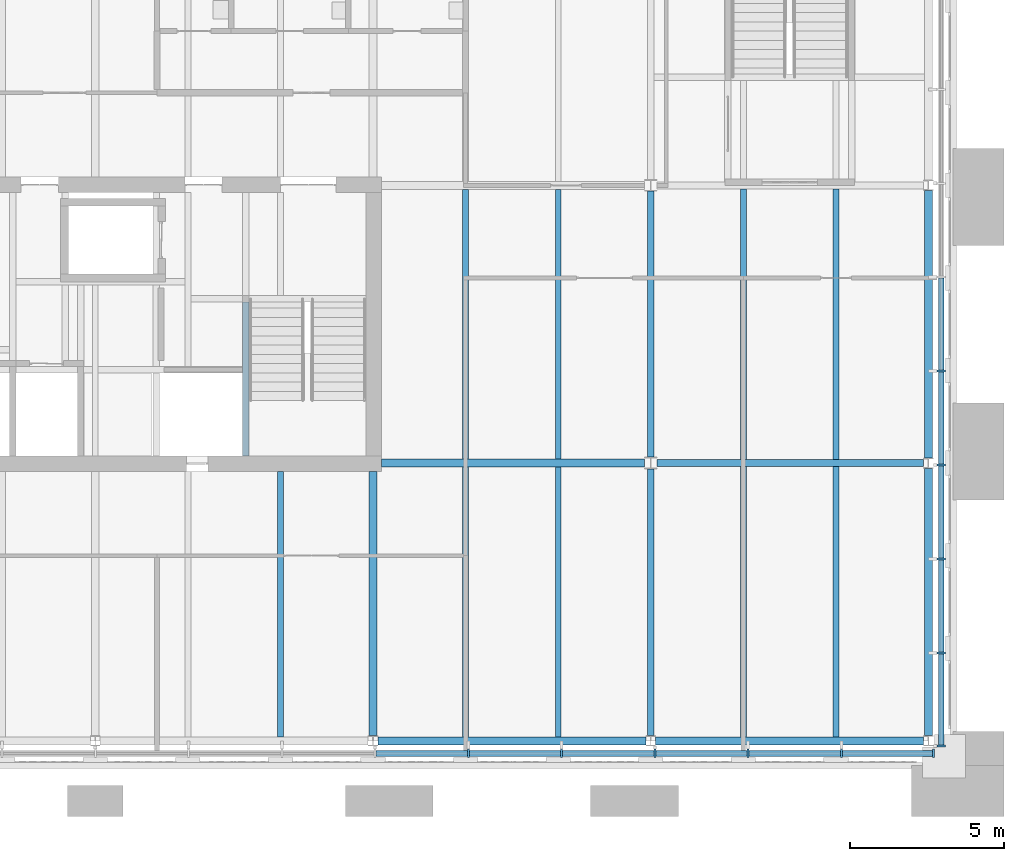
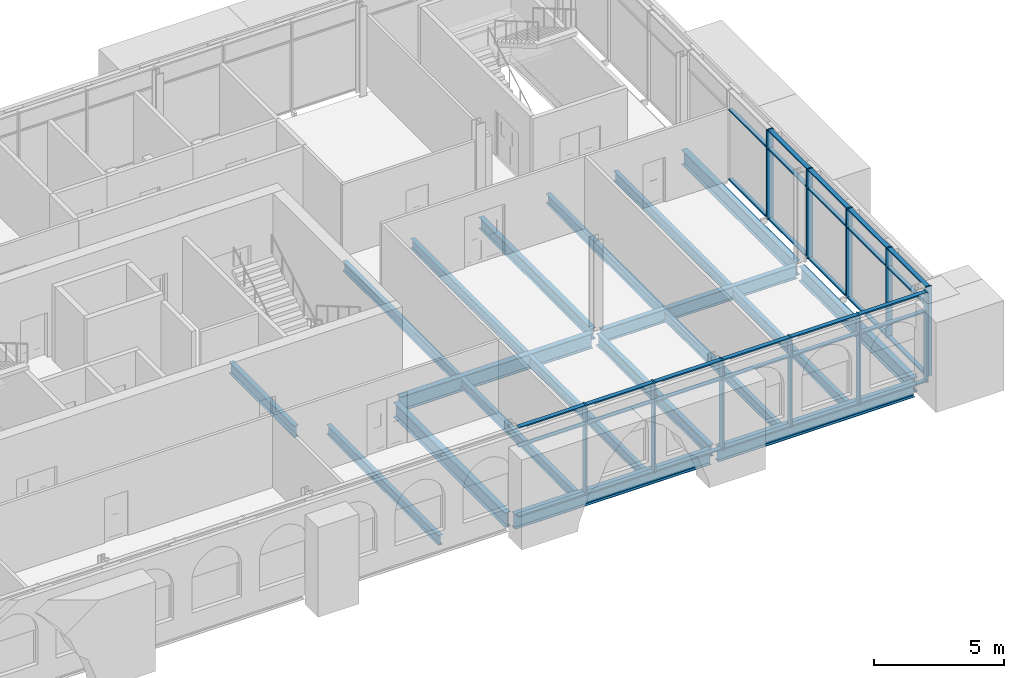
# One storey, part 6 of 22: 43 members, 19 beams, 2 elements without a shape of their own.
"""IFC4 building model written with IfcOpenShell, lengths in metres."""

from ifc_helpers import new_model, si_unit, direction, frame, origin, origin_2d, place, context, subcontext, project, spatial, rectangle, i_section, extrude, material, material_profile, profile_set, type_object, element, aggregate, save


model = new_model("IFC4")

# Units and contexts
model_context = context("Model", 3, precision=1e-05, world=origin(), true_north=direction((0.0, 1.0)))
body_context = subcontext(model_context, "Body", "Model", "MODEL_VIEW")
ifc_project = project(units=[si_unit("LENGTHUNIT", "METRE"), si_unit("AREAUNIT", "SQUARE_METRE"), si_unit("VOLUMEUNIT", "CUBIC_METRE"), si_unit("PLANEANGLEUNIT", "RADIAN"), si_unit("MASSUNIT", "GRAM", prefix="KILO")], contexts=[model_context])

# Site, building, storey
site_placement = place(None, origin())
site = spatial("IfcSite", under=ifc_project, at=site_placement, CompositionType="ELEMENT")
building_placement = place(site_placement, origin())
building = spatial("IfcBuilding", under=site, at=building_placement, Name="Baradari Gate Terminus", CompositionType="ELEMENT")
storey_placement = place(building_placement, frame((0.0, 0.0, 28.5)))
storey = spatial("IfcBuildingStorey", under=building, at=storey_placement, Name="L06", CompositionType="ELEMENT", Elevation=28.5)

# Beam
ifc_material_1 = material(Name="Steel S355", Category="steel")
ifc_material_profile_1 = material_profile(ifc_material_1, i_section(OverallWidth=0.209228515625, OverallDepth=0.533203125, WebThickness=0.010009765625, FlangeThickness=0.015625, FilletRadius=0.0126953125, at=origin_2d()), Name="UB 533x210x92")
ifc_profile_set_1 = profile_set([ifc_material_profile_1], Name="Steel S355")
beam_type_1 = type_object("IfcBeamType", Name="Core floor trimmer beam B22 UB 533x210x92", PredefinedType="BEAM", material=ifc_profile_set_1)
beam_1_placement = place(storey_placement, frame((40.875, 126.22509765625, -0.396484375), z_axis=(0.0, 1.0, 0.0), x_axis=(-1.0, 0.0, 0.0)))
element("IfcBeam", 1, at=beam_1_placement, inside=storey, type_object=beam_type_1, Name="Core floor trimmer beam B22 40.875:126.225-131.22 L06", PredefinedType="BEAM", context=body_context, shape_type="SweptSolid", body=[
    extrude(i_section(OverallWidth=0.209228515625, OverallDepth=0.533203125, WebThickness=0.010009765625, FlangeThickness=0.015625, FilletRadius=0.0126953125, at=origin_2d()), origin(), (0.0, 0.0, 1.0), 4.9951171875),
])

# Curtain wall, members
ifc_material_2 = material(Name="Aluminium 6063-T6", Category="aluminium")
curtain_wall_type = type_object("IfcCurtainWallType", Name="Curtain wall CW-12 block arcade floors, L06-L07", PredefinedType="NOTDEFINED", material=ifc_material_2)
curtain_wall_1_placement = place(storey_placement, origin())
curtain_wall_1 = element("IfcCurtainWall", 2, at=curtain_wall_1_placement, inside=storey, type_object=curtain_wall_type, Name="Curtain wall CW-12 Operations block S face L06", PredefinedType="NOTDEFINED")
ifc_material_3 = material(Name="Aluminium 6063-T6", Category="aluminium")
ifc_material_profile_2 = material_profile(ifc_material_3, rectangle(XDim=0.27490234375, YDim=0.06494140625, at=origin_2d()), Name="CM-12 65X275")
ifc_profile_set_2 = profile_set([ifc_material_profile_2], Name="Aluminium 6063-T6")
member_type_1 = type_object("IfcMemberType", Name="Curtain wall mullion CM-12 65x275", PredefinedType="MULLION", material=ifc_profile_set_2)
member_1_placement = place(storey_placement, frame((48.0888671875, 116.592529296875, 0.0), z_axis=(0.0, 0.0, 1.0), x_axis=(0.0, 1.0, 0.0)))
member_1 = element("IfcMember", 3, at=member_1_placement, type_object=member_type_1, Name="CW-12 mullion 14", PredefinedType="MULLION", context=body_context, shape_type="SweptSolid", body=[
    extrude(rectangle(XDim=0.27490234375, YDim=0.06494140625, at=origin_2d()), origin(), (0.0, 0.0, 1.0), 4.199951171875),
])
member_2_placement = place(storey_placement, frame((51.111083984375, 116.592529296875, 0.0), z_axis=(0.0, 0.0, 1.0), x_axis=(0.0, 1.0, 0.0)))
member_2 = element("IfcMember", 4, at=member_2_placement, type_object=member_type_1, Name="CW-12 mullion 15", PredefinedType="MULLION", context=body_context, shape_type="SweptSolid", body=[
    extrude(rectangle(XDim=0.27490234375, YDim=0.06494140625, at=origin_2d()), origin(), (0.0, 0.0, 1.0), 4.199951171875),
])
member_3_placement = place(storey_placement, frame((54.13330078125, 116.592529296875, 0.0), z_axis=(0.0, 0.0, 1.0), x_axis=(0.0, 1.0, 0.0)))
member_3 = element("IfcMember", 5, at=member_3_placement, type_object=member_type_1, Name="CW-12 mullion 16", PredefinedType="MULLION", context=body_context, shape_type="SweptSolid", body=[
    extrude(rectangle(XDim=0.27490234375, YDim=0.06494140625, at=origin_2d()), origin(), (0.0, 0.0, 1.0), 4.199951171875),
])
member_4_placement = place(storey_placement, frame((57.155517578125, 116.592529296875, 0.0), z_axis=(0.0, 0.0, 1.0), x_axis=(0.0, 1.0, 0.0)))
member_4 = element("IfcMember", 6, at=member_4_placement, type_object=member_type_1, Name="CW-12 mullion 17", PredefinedType="MULLION", context=body_context, shape_type="SweptSolid", body=[
    extrude(rectangle(XDim=0.27490234375, YDim=0.06494140625, at=origin_2d()), origin(), (0.0, 0.0, 1.0), 4.199951171875),
])
member_5_placement = place(storey_placement, frame((60.177734375, 116.592529296875, 0.0), z_axis=(0.0, 0.0, 1.0), x_axis=(0.0, 1.0, 0.0)))
member_5 = element("IfcMember", 7, at=member_5_placement, type_object=member_type_1, Name="CW-12 mullion 18", PredefinedType="MULLION", context=body_context, shape_type="SweptSolid", body=[
    extrude(rectangle(XDim=0.27490234375, YDim=0.06494140625, at=origin_2d()), origin(), (0.0, 0.0, 1.0), 4.199951171875),
])
member_6_placement = place(storey_placement, frame((63.16748046875, 116.592529296875, 0.0), z_axis=(0.0, 0.0, 1.0), x_axis=(0.0, 1.0, 0.0)))
member_6 = element("IfcMember", 8, at=member_6_placement, type_object=member_type_1, Name="CW-12 mullion 19", PredefinedType="MULLION", context=body_context, shape_type="SweptSolid", body=[
    extrude(rectangle(XDim=0.27490234375, YDim=0.06494140625, at=origin_2d()), origin(), (0.0, 0.0, 1.0), 4.199951171875),
])

curtain_wall_2_placement = place(storey_placement, origin())
curtain_wall_2 = element("IfcCurtainWall", 9, at=curtain_wall_2_placement, inside=storey, type_object=curtain_wall_type, Name="Curtain wall CW-12 Operations block E face L06", PredefinedType="NOTDEFINED")
member_7_placement = place(storey_placement, frame((63.407470703125, 116.83251953125, 0.0), z_axis=(0.0, 0.0, 1.0), x_axis=(-1.0, 0.0, 0.0)))
member_7 = element("IfcMember", 10, at=member_7_placement, type_object=member_type_1, Name="CW-12 mullion 1", PredefinedType="MULLION", context=body_context, shape_type="SweptSolid", body=[
    extrude(rectangle(XDim=0.27490234375, YDim=0.06494140625, at=origin_2d()), origin(), (0.0, 0.0, 1.0), 4.199951171875),
])
member_8_placement = place(storey_placement, frame((63.407470703125, 119.844482421875, 0.0), z_axis=(0.0, 0.0, 1.0), x_axis=(-1.0, 0.0, 0.0)))
member_8 = element("IfcMember", 11, at=member_8_placement, type_object=member_type_1, Name="CW-12 mullion 2", PredefinedType="MULLION", context=body_context, shape_type="SweptSolid", body=[
    extrude(rectangle(XDim=0.27490234375, YDim=0.06494140625, at=origin_2d()), origin(), (0.0, 0.0, 1.0), 4.199951171875),
])
member_9_placement = place(storey_placement, frame((63.407470703125, 122.888916015625, 0.0), z_axis=(0.0, 0.0, 1.0), x_axis=(-1.0, 0.0, 0.0)))
member_9 = element("IfcMember", 12, at=member_9_placement, type_object=member_type_1, Name="CW-12 mullion 3", PredefinedType="MULLION", context=body_context, shape_type="SweptSolid", body=[
    extrude(rectangle(XDim=0.27490234375, YDim=0.06494140625, at=origin_2d()), origin(), (0.0, 0.0, 1.0), 4.199951171875),
])
member_10_placement = place(storey_placement, frame((63.407470703125, 125.933349609375, 0.0), z_axis=(0.0, 0.0, 1.0), x_axis=(-1.0, 0.0, 0.0)))
member_10 = element("IfcMember", 13, at=member_10_placement, type_object=member_type_1, Name="CW-12 mullion 4", PredefinedType="MULLION", context=body_context, shape_type="SweptSolid", body=[
    extrude(rectangle(XDim=0.27490234375, YDim=0.06494140625, at=origin_2d()), origin(), (0.0, 0.0, 1.0), 4.199951171875),
])
member_11_placement = place(storey_placement, frame((63.407470703125, 128.977783203125, 0.0), z_axis=(0.0, 0.0, 1.0), x_axis=(-1.0, 0.0, 0.0)))
member_11 = element("IfcMember", 14, at=member_11_placement, type_object=member_type_1, Name="CW-12 mullion 5", PredefinedType="MULLION", context=body_context, shape_type="SweptSolid", body=[
    extrude(rectangle(XDim=0.27490234375, YDim=0.06494140625, at=origin_2d()), origin(), (0.0, 0.0, 1.0), 4.199951171875),
])

# Member
ifc_material_4 = material(Name="Aluminium 6063-T6", Category="aluminium")
ifc_material_profile_3 = material_profile(ifc_material_4, rectangle(XDim=0.18505859375, YDim=0.06494140625, at=origin_2d()), Name="CT-12 65X185")
ifc_profile_set_3 = profile_set([ifc_material_profile_3], Name="Aluminium 6063-T6")
member_type_2 = type_object("IfcMemberType", Name="Curtain wall transom CT-12 65x185", PredefinedType="USERDEFINED", material=ifc_profile_set_3)
member_12_placement = place(storey_placement, frame((45.09912109375, 116.592529296875, 0.032470703125), z_axis=(1.0, 0.0, 0.0), x_axis=(0.0, 1.0, 0.0)))
member_12 = element("IfcMember", 15, at=member_12_placement, type_object=member_type_2, Name="CW-12 transom 13.1", ObjectType="TRANSOM", PredefinedType="USERDEFINED", context=body_context, shape_type="SweptSolid", body=[
    extrude(rectangle(XDim=0.18505859375, YDim=0.06494140625, at=origin_2d()), origin(), (0.0, 0.0, 1.0), 2.957275390625),
])

member_13_placement = place(storey_placement, frame((45.09912109375, 116.592529296875, 3.300048828125), z_axis=(1.0, 0.0, 0.0), x_axis=(0.0, 1.0, 0.0)))
member_13 = element("IfcMember", 16, at=member_13_placement, type_object=member_type_2, Name="CW-12 transom 13.2", ObjectType="TRANSOM", PredefinedType="USERDEFINED", context=body_context, shape_type="SweptSolid", body=[
    extrude(rectangle(XDim=0.18505859375, YDim=0.06494140625, at=origin_2d()), origin(), (0.0, 0.0, 1.0), 2.957275390625),
])

member_14_placement = place(storey_placement, frame((45.09912109375, 116.592529296875, 4.16748046875), z_axis=(1.0, 0.0, 0.0), x_axis=(0.0, 1.0, 0.0)))
member_14 = element("IfcMember", 17, at=member_14_placement, type_object=member_type_2, Name="CW-12 transom 13.3", ObjectType="TRANSOM", PredefinedType="USERDEFINED", context=body_context, shape_type="SweptSolid", body=[
    extrude(rectangle(XDim=0.18505859375, YDim=0.06494140625, at=origin_2d()), origin(), (0.0, 0.0, 1.0), 2.957275390625),
])

member_15_placement = place(storey_placement, frame((48.121337890625, 116.592529296875, 0.032470703125), z_axis=(1.0, 0.0, 0.0), x_axis=(0.0, 1.0, 0.0)))
member_15 = element("IfcMember", 18, at=member_15_placement, type_object=member_type_2, Name="CW-12 transom 14.1", ObjectType="TRANSOM", PredefinedType="USERDEFINED", context=body_context, shape_type="SweptSolid", body=[
    extrude(rectangle(XDim=0.18505859375, YDim=0.06494140625, at=origin_2d()), origin(), (0.0, 0.0, 1.0), 2.957275390625),
])

member_16_placement = place(storey_placement, frame((48.121337890625, 116.592529296875, 3.300048828125), z_axis=(1.0, 0.0, 0.0), x_axis=(0.0, 1.0, 0.0)))
member_16 = element("IfcMember", 19, at=member_16_placement, type_object=member_type_2, Name="CW-12 transom 14.2", ObjectType="TRANSOM", PredefinedType="USERDEFINED", context=body_context, shape_type="SweptSolid", body=[
    extrude(rectangle(XDim=0.18505859375, YDim=0.06494140625, at=origin_2d()), origin(), (0.0, 0.0, 1.0), 2.957275390625),
])

member_17_placement = place(storey_placement, frame((48.121337890625, 116.592529296875, 4.16748046875), z_axis=(1.0, 0.0, 0.0), x_axis=(0.0, 1.0, 0.0)))
member_17 = element("IfcMember", 20, at=member_17_placement, type_object=member_type_2, Name="CW-12 transom 14.3", ObjectType="TRANSOM", PredefinedType="USERDEFINED", context=body_context, shape_type="SweptSolid", body=[
    extrude(rectangle(XDim=0.18505859375, YDim=0.06494140625, at=origin_2d()), origin(), (0.0, 0.0, 1.0), 2.957275390625),
])

member_18_placement = place(storey_placement, frame((51.1435546875, 116.592529296875, 0.032470703125), z_axis=(1.0, 0.0, 0.0), x_axis=(0.0, 1.0, 0.0)))
member_18 = element("IfcMember", 21, at=member_18_placement, type_object=member_type_2, Name="CW-12 transom 15.1", ObjectType="TRANSOM", PredefinedType="USERDEFINED", context=body_context, shape_type="SweptSolid", body=[
    extrude(rectangle(XDim=0.18505859375, YDim=0.06494140625, at=origin_2d()), origin(), (0.0, 0.0, 1.0), 2.957275390625),
])

member_19_placement = place(storey_placement, frame((51.1435546875, 116.592529296875, 3.300048828125), z_axis=(1.0, 0.0, 0.0), x_axis=(0.0, 1.0, 0.0)))
member_19 = element("IfcMember", 22, at=member_19_placement, type_object=member_type_2, Name="CW-12 transom 15.2", ObjectType="TRANSOM", PredefinedType="USERDEFINED", context=body_context, shape_type="SweptSolid", body=[
    extrude(rectangle(XDim=0.18505859375, YDim=0.06494140625, at=origin_2d()), origin(), (0.0, 0.0, 1.0), 2.957275390625),
])

member_20_placement = place(storey_placement, frame((51.1435546875, 116.592529296875, 4.16748046875), z_axis=(1.0, 0.0, 0.0), x_axis=(0.0, 1.0, 0.0)))
member_20 = element("IfcMember", 23, at=member_20_placement, type_object=member_type_2, Name="CW-12 transom 15.3", ObjectType="TRANSOM", PredefinedType="USERDEFINED", context=body_context, shape_type="SweptSolid", body=[
    extrude(rectangle(XDim=0.18505859375, YDim=0.06494140625, at=origin_2d()), origin(), (0.0, 0.0, 1.0), 2.957275390625),
])

member_21_placement = place(storey_placement, frame((54.165771484375, 116.592529296875, 0.032470703125), z_axis=(1.0, 0.0, 0.0), x_axis=(0.0, 1.0, 0.0)))
member_21 = element("IfcMember", 24, at=member_21_placement, type_object=member_type_2, Name="CW-12 transom 16.1", ObjectType="TRANSOM", PredefinedType="USERDEFINED", context=body_context, shape_type="SweptSolid", body=[
    extrude(rectangle(XDim=0.18505859375, YDim=0.06494140625, at=origin_2d()), origin(), (0.0, 0.0, 1.0), 2.957275390625),
])

member_22_placement = place(storey_placement, frame((54.165771484375, 116.592529296875, 3.300048828125), z_axis=(1.0, 0.0, 0.0), x_axis=(0.0, 1.0, 0.0)))
member_22 = element("IfcMember", 25, at=member_22_placement, type_object=member_type_2, Name="CW-12 transom 16.2", ObjectType="TRANSOM", PredefinedType="USERDEFINED", context=body_context, shape_type="SweptSolid", body=[
    extrude(rectangle(XDim=0.18505859375, YDim=0.06494140625, at=origin_2d()), origin(), (0.0, 0.0, 1.0), 2.957275390625),
])

member_23_placement = place(storey_placement, frame((54.165771484375, 116.592529296875, 4.16748046875), z_axis=(1.0, 0.0, 0.0), x_axis=(0.0, 1.0, 0.0)))
member_23 = element("IfcMember", 26, at=member_23_placement, type_object=member_type_2, Name="CW-12 transom 16.3", ObjectType="TRANSOM", PredefinedType="USERDEFINED", context=body_context, shape_type="SweptSolid", body=[
    extrude(rectangle(XDim=0.18505859375, YDim=0.06494140625, at=origin_2d()), origin(), (0.0, 0.0, 1.0), 2.957275390625),
])

member_24_placement = place(storey_placement, frame((57.18798828125, 116.592529296875, 0.032470703125), z_axis=(1.0, 0.0, 0.0), x_axis=(0.0, 1.0, 0.0)))
member_24 = element("IfcMember", 27, at=member_24_placement, type_object=member_type_2, Name="CW-12 transom 17.1", ObjectType="TRANSOM", PredefinedType="USERDEFINED", context=body_context, shape_type="SweptSolid", body=[
    extrude(rectangle(XDim=0.18505859375, YDim=0.06494140625, at=origin_2d()), origin(), (0.0, 0.0, 1.0), 2.957275390625),
])

member_25_placement = place(storey_placement, frame((57.18798828125, 116.592529296875, 3.300048828125), z_axis=(1.0, 0.0, 0.0), x_axis=(0.0, 1.0, 0.0)))
member_25 = element("IfcMember", 28, at=member_25_placement, type_object=member_type_2, Name="CW-12 transom 17.2", ObjectType="TRANSOM", PredefinedType="USERDEFINED", context=body_context, shape_type="SweptSolid", body=[
    extrude(rectangle(XDim=0.18505859375, YDim=0.06494140625, at=origin_2d()), origin(), (0.0, 0.0, 1.0), 2.957275390625),
])

member_26_placement = place(storey_placement, frame((57.18798828125, 116.592529296875, 4.16748046875), z_axis=(1.0, 0.0, 0.0), x_axis=(0.0, 1.0, 0.0)))
member_26 = element("IfcMember", 29, at=member_26_placement, type_object=member_type_2, Name="CW-12 transom 17.3", ObjectType="TRANSOM", PredefinedType="USERDEFINED", context=body_context, shape_type="SweptSolid", body=[
    extrude(rectangle(XDim=0.18505859375, YDim=0.06494140625, at=origin_2d()), origin(), (0.0, 0.0, 1.0), 2.957275390625),
])

member_27_placement = place(storey_placement, frame((60.210205078125, 116.592529296875, 0.032470703125), z_axis=(1.0, 0.0, 0.0), x_axis=(0.0, 1.0, 0.0)))
member_27 = element("IfcMember", 30, at=member_27_placement, type_object=member_type_2, Name="CW-12 transom 18.1", ObjectType="TRANSOM", PredefinedType="USERDEFINED", context=body_context, shape_type="SweptSolid", body=[
    extrude(rectangle(XDim=0.18505859375, YDim=0.06494140625, at=origin_2d()), origin(), (0.0, 0.0, 1.0), 2.9248046875),
])

member_28_placement = place(storey_placement, frame((60.210205078125, 116.592529296875, 3.300048828125), z_axis=(1.0, 0.0, 0.0), x_axis=(0.0, 1.0, 0.0)))
member_28 = element("IfcMember", 31, at=member_28_placement, type_object=member_type_2, Name="CW-12 transom 18.2", ObjectType="TRANSOM", PredefinedType="USERDEFINED", context=body_context, shape_type="SweptSolid", body=[
    extrude(rectangle(XDim=0.18505859375, YDim=0.06494140625, at=origin_2d()), origin(), (0.0, 0.0, 1.0), 2.9248046875),
])

member_29_placement = place(storey_placement, frame((60.210205078125, 116.592529296875, 4.16748046875), z_axis=(1.0, 0.0, 0.0), x_axis=(0.0, 1.0, 0.0)))
member_29 = element("IfcMember", 32, at=member_29_placement, type_object=member_type_2, Name="CW-12 transom 18.3", ObjectType="TRANSOM", PredefinedType="USERDEFINED", context=body_context, shape_type="SweptSolid", body=[
    extrude(rectangle(XDim=0.18505859375, YDim=0.06494140625, at=origin_2d()), origin(), (0.0, 0.0, 1.0), 2.9248046875),
])

aggregate(curtain_wall_1, [member_1, member_2, member_3, member_4, member_5, member_6, member_12, member_13, member_14, member_15, member_16, member_17, member_18, member_19, member_20, member_21, member_22, member_23, member_24, member_25, member_26, member_27, member_28, member_29])

member_30_placement = place(storey_placement, frame((63.407470703125, 116.864990234375, 0.032470703125), z_axis=(0.0, 1.0, 0.0), x_axis=(-1.0, 0.0, 0.0)))
member_30 = element("IfcMember", 33, at=member_30_placement, type_object=member_type_2, Name="CW-12 transom 1.1", ObjectType="TRANSOM", PredefinedType="USERDEFINED", context=body_context, shape_type="SweptSolid", body=[
    extrude(rectangle(XDim=0.18505859375, YDim=0.06494140625, at=origin_2d()), origin(), (0.0, 0.0, 1.0), 2.947021484375),
])

member_31_placement = place(storey_placement, frame((63.407470703125, 116.864990234375, 3.300048828125), z_axis=(0.0, 1.0, 0.0), x_axis=(-1.0, 0.0, 0.0)))
member_31 = element("IfcMember", 34, at=member_31_placement, type_object=member_type_2, Name="CW-12 transom 1.2", ObjectType="TRANSOM", PredefinedType="USERDEFINED", context=body_context, shape_type="SweptSolid", body=[
    extrude(rectangle(XDim=0.18505859375, YDim=0.06494140625, at=origin_2d()), origin(), (0.0, 0.0, 1.0), 2.947021484375),
])

member_32_placement = place(storey_placement, frame((63.407470703125, 116.864990234375, 4.16748046875), z_axis=(0.0, 1.0, 0.0), x_axis=(-1.0, 0.0, 0.0)))
member_32 = element("IfcMember", 35, at=member_32_placement, type_object=member_type_2, Name="CW-12 transom 1.3", ObjectType="TRANSOM", PredefinedType="USERDEFINED", context=body_context, shape_type="SweptSolid", body=[
    extrude(rectangle(XDim=0.18505859375, YDim=0.06494140625, at=origin_2d()), origin(), (0.0, 0.0, 1.0), 2.947021484375),
])

member_33_placement = place(storey_placement, frame((63.407470703125, 119.876953125, 0.032470703125), z_axis=(0.0, 1.0, 0.0), x_axis=(-1.0, 0.0, 0.0)))
member_33 = element("IfcMember", 36, at=member_33_placement, type_object=member_type_2, Name="CW-12 transom 2.1", ObjectType="TRANSOM", PredefinedType="USERDEFINED", context=body_context, shape_type="SweptSolid", body=[
    extrude(rectangle(XDim=0.18505859375, YDim=0.06494140625, at=origin_2d()), origin(), (0.0, 0.0, 1.0), 2.9794921875),
])

member_34_placement = place(storey_placement, frame((63.407470703125, 119.876953125, 3.300048828125), z_axis=(0.0, 1.0, 0.0), x_axis=(-1.0, 0.0, 0.0)))
member_34 = element("IfcMember", 37, at=member_34_placement, type_object=member_type_2, Name="CW-12 transom 2.2", ObjectType="TRANSOM", PredefinedType="USERDEFINED", context=body_context, shape_type="SweptSolid", body=[
    extrude(rectangle(XDim=0.18505859375, YDim=0.06494140625, at=origin_2d()), origin(), (0.0, 0.0, 1.0), 2.9794921875),
])

member_35_placement = place(storey_placement, frame((63.407470703125, 119.876953125, 4.16748046875), z_axis=(0.0, 1.0, 0.0), x_axis=(-1.0, 0.0, 0.0)))
member_35 = element("IfcMember", 38, at=member_35_placement, type_object=member_type_2, Name="CW-12 transom 2.3", ObjectType="TRANSOM", PredefinedType="USERDEFINED", context=body_context, shape_type="SweptSolid", body=[
    extrude(rectangle(XDim=0.18505859375, YDim=0.06494140625, at=origin_2d()), origin(), (0.0, 0.0, 1.0), 2.9794921875),
])

member_36_placement = place(storey_placement, frame((63.407470703125, 122.92138671875, 0.032470703125), z_axis=(0.0, 1.0, 0.0), x_axis=(-1.0, 0.0, 0.0)))
member_36 = element("IfcMember", 39, at=member_36_placement, type_object=member_type_2, Name="CW-12 transom 3.1", ObjectType="TRANSOM", PredefinedType="USERDEFINED", context=body_context, shape_type="SweptSolid", body=[
    extrude(rectangle(XDim=0.18505859375, YDim=0.06494140625, at=origin_2d()), origin(), (0.0, 0.0, 1.0), 2.9794921875),
])

member_37_placement = place(storey_placement, frame((63.407470703125, 122.92138671875, 3.300048828125), z_axis=(0.0, 1.0, 0.0), x_axis=(-1.0, 0.0, 0.0)))
member_37 = element("IfcMember", 40, at=member_37_placement, type_object=member_type_2, Name="CW-12 transom 3.2", ObjectType="TRANSOM", PredefinedType="USERDEFINED", context=body_context, shape_type="SweptSolid", body=[
    extrude(rectangle(XDim=0.18505859375, YDim=0.06494140625, at=origin_2d()), origin(), (0.0, 0.0, 1.0), 2.9794921875),
])

member_38_placement = place(storey_placement, frame((63.407470703125, 122.92138671875, 4.16748046875), z_axis=(0.0, 1.0, 0.0), x_axis=(-1.0, 0.0, 0.0)))
member_38 = element("IfcMember", 41, at=member_38_placement, type_object=member_type_2, Name="CW-12 transom 3.3", ObjectType="TRANSOM", PredefinedType="USERDEFINED", context=body_context, shape_type="SweptSolid", body=[
    extrude(rectangle(XDim=0.18505859375, YDim=0.06494140625, at=origin_2d()), origin(), (0.0, 0.0, 1.0), 2.9794921875),
])

member_39_placement = place(storey_placement, frame((63.407470703125, 125.9658203125, 0.032470703125), z_axis=(0.0, 1.0, 0.0), x_axis=(-1.0, 0.0, 0.0)))
member_39 = element("IfcMember", 42, at=member_39_placement, type_object=member_type_2, Name="CW-12 transom 4.1", ObjectType="TRANSOM", PredefinedType="USERDEFINED", context=body_context, shape_type="SweptSolid", body=[
    extrude(rectangle(XDim=0.18505859375, YDim=0.06494140625, at=origin_2d()), origin(), (0.0, 0.0, 1.0), 2.9794921875),
])

member_40_placement = place(storey_placement, frame((63.407470703125, 125.9658203125, 3.300048828125), z_axis=(0.0, 1.0, 0.0), x_axis=(-1.0, 0.0, 0.0)))
member_40 = element("IfcMember", 43, at=member_40_placement, type_object=member_type_2, Name="CW-12 transom 4.2", ObjectType="TRANSOM", PredefinedType="USERDEFINED", context=body_context, shape_type="SweptSolid", body=[
    extrude(rectangle(XDim=0.18505859375, YDim=0.06494140625, at=origin_2d()), origin(), (0.0, 0.0, 1.0), 2.9794921875),
])

member_41_placement = place(storey_placement, frame((63.407470703125, 125.9658203125, 4.16748046875), z_axis=(0.0, 1.0, 0.0), x_axis=(-1.0, 0.0, 0.0)))
member_41 = element("IfcMember", 44, at=member_41_placement, type_object=member_type_2, Name="CW-12 transom 4.3", ObjectType="TRANSOM", PredefinedType="USERDEFINED", context=body_context, shape_type="SweptSolid", body=[
    extrude(rectangle(XDim=0.18505859375, YDim=0.06494140625, at=origin_2d()), origin(), (0.0, 0.0, 1.0), 2.9794921875),
])

member_42_placement = place(storey_placement, frame((63.407470703125, 129.01025390625, 0.032470703125), z_axis=(0.0, 1.0, 0.0), x_axis=(-1.0, 0.0, 0.0)))
member_42 = element("IfcMember", 45, at=member_42_placement, type_object=member_type_2, Name="CW-12 transom 5.1", ObjectType="TRANSOM", PredefinedType="USERDEFINED", context=body_context, shape_type="SweptSolid", body=[
    extrude(rectangle(XDim=0.18505859375, YDim=0.06494140625, at=origin_2d()), origin(), (0.0, 0.0, 1.0), 2.9794921875),
])

member_43_placement = place(storey_placement, frame((63.407470703125, 129.01025390625, 3.300048828125), z_axis=(0.0, 1.0, 0.0), x_axis=(-1.0, 0.0, 0.0)))
member_43 = element("IfcMember", 46, at=member_43_placement, type_object=member_type_2, Name="CW-12 transom 5.2", ObjectType="TRANSOM", PredefinedType="USERDEFINED", context=body_context, shape_type="SweptSolid", body=[
    extrude(rectangle(XDim=0.18505859375, YDim=0.06494140625, at=origin_2d()), origin(), (0.0, 0.0, 1.0), 2.9794921875),
])

aggregate(curtain_wall_2, [member_7, member_8, member_9, member_10, member_11, member_30, member_31, member_32, member_33, member_34, member_35, member_36, member_37, member_38, member_39, member_40, member_41, member_42, member_43])

# Beams
ifc_material_5 = material(Name="Steel S355", Category="steel")
ifc_material_profile_4 = material_profile(ifc_material_5, i_section(OverallWidth=0.25439453125, OverallDepth=0.6875, WebThickness=0.01318359375, FlangeThickness=0.02099609375, FilletRadius=0.01513671875, at=origin_2d()), Name="UB 686x254x152")
ifc_profile_set_4 = profile_set([ifc_material_profile_4], Name="Steel S355")
beam_type_2 = type_object("IfcBeamType", Name="Operations block coupling beam B26 UB 686x254x152", PredefinedType="BEAM", material=ifc_profile_set_4)
beam_2_placement = place(storey_placement, frame((45.27490234375, 126.0, -0.4736328125), z_axis=(1.0, 0.0, 0.0), x_axis=(0.0, 1.0, 0.0)))
element("IfcBeam", 47, at=beam_2_placement, inside=storey, type_object=beam_type_2, Name="Operations block coupling beam B26 Q:45.275-53.803 L06", PredefinedType="BEAM", context=body_context, shape_type="SweptSolid", body=[
    extrude(i_section(OverallWidth=0.25439453125, OverallDepth=0.6875, WebThickness=0.01318359375, FlangeThickness=0.02099609375, FilletRadius=0.01513671875, at=origin_2d()), origin(), (0.0, 0.0, 1.0), 8.527587890625),
])
beam_3_placement = place(storey_placement, frame((45.0, 117.169921875, -0.4736328125), z_axis=(0.0, 1.0, 0.0), x_axis=(-1.0, 0.0, 0.0)))
element("IfcBeam", 48, at=beam_3_placement, inside=storey, type_object=beam_type_2, Name="Operations block coupling beam B26 6:117.17-125.725 L06", PredefinedType="BEAM", context=body_context, shape_type="SweptSolid", body=[
    extrude(i_section(OverallWidth=0.25439453125, OverallDepth=0.6875, WebThickness=0.01318359375, FlangeThickness=0.02099609375, FilletRadius=0.01513671875, at=origin_2d()), origin(), (0.0, 0.0, 1.0), 8.55517578125),
])
ifc_material_6 = material(Name="Steel S355", Category="steel")
ifc_material_profile_5 = material_profile(ifc_material_6, i_section(OverallWidth=0.22900390625, OverallDepth=0.6123046875, WebThickness=0.011962890625, FlangeThickness=0.01953125, FilletRadius=0.0126953125, at=origin_2d()), Name="UB 610x229x125")
ifc_profile_set_5 = profile_set([ifc_material_profile_5], Name="Steel S355")
beam_type_3 = type_object("IfcBeamType", Name="Operations block girder B25 UB 610x229x125", PredefinedType="BEAM", material=ifc_profile_set_5)
beam_4_placement = place(storey_placement, frame((54.197509765625, 126.0, -0.43603515625), z_axis=(1.0, 0.0, 0.0), x_axis=(0.0, 1.0, 0.0)))
element("IfcBeam", 49, at=beam_4_placement, inside=storey, type_object=beam_type_3, Name="Operations block girder B25 Q:54.197-62.843 L06", PredefinedType="BEAM", context=body_context, shape_type="SweptSolid", body=[
    extrude(i_section(OverallWidth=0.22900390625, OverallDepth=0.6123046875, WebThickness=0.011962890625, FlangeThickness=0.01953125, FilletRadius=0.0126953125, at=origin_2d()), origin(), (0.0, 0.0, 1.0), 8.645263671875),
])
ifc_material_7 = material(Name="Steel S355", Category="steel")
ifc_material_profile_6 = material_profile(ifc_material_7, i_section(OverallWidth=0.210693359375, OverallDepth=0.53955078125, WebThickness=0.01171875, FlangeThickness=0.018798828125, FilletRadius=0.0126953125, at=origin_2d()), Name="UB 533x210x109")
ifc_profile_set_6 = profile_set([ifc_material_profile_6], Name="Steel S355")
beam_type_4 = type_object("IfcBeamType", Name="Operations block girder B29 UB 533x210x109", PredefinedType="BEAM", material=ifc_profile_set_6)
beam_5_placement = place(storey_placement, frame((54.0, 117.169921875, -0.399658203125), z_axis=(0.0, 1.0, 0.0), x_axis=(-1.0, 0.0, 0.0)))
element("IfcBeam", 50, at=beam_5_placement, inside=storey, type_object=beam_type_4, Name="Operations block girder B29 7:117.17-125.809 L06", PredefinedType="BEAM", context=body_context, shape_type="SweptSolid", body=[
    extrude(i_section(OverallWidth=0.210693359375, OverallDepth=0.53955078125, WebThickness=0.01171875, FlangeThickness=0.018798828125, FilletRadius=0.0126953125, at=origin_2d()), origin(), (0.0, 0.0, 1.0), 8.6396484375),
])
beam_6_placement = place(storey_placement, frame((54.0, 126.1904296875, -0.399658203125), z_axis=(0.0, 1.0, 0.0), x_axis=(-1.0, 0.0, 0.0)))
element("IfcBeam", 51, at=beam_6_placement, inside=storey, type_object=beam_type_4, Name="Operations block girder B29 7:126.191-134.81 L06", PredefinedType="BEAM", context=body_context, shape_type="SweptSolid", body=[
    extrude(i_section(OverallWidth=0.210693359375, OverallDepth=0.53955078125, WebThickness=0.01171875, FlangeThickness=0.018798828125, FilletRadius=0.0126953125, at=origin_2d()), origin(), (0.0, 0.0, 1.0), 8.619140625),
])
ifc_material_8 = material(Name="Steel S355", Category="steel")
ifc_material_profile_7 = material_profile(ifc_material_8, i_section(OverallWidth=0.25439453125, OverallDepth=0.6875, WebThickness=0.01318359375, FlangeThickness=0.02099609375, FilletRadius=0.01513671875, at=origin_2d()), Name="UB 686x254x152")
ifc_profile_set_7 = profile_set([ifc_material_profile_7], Name="Steel S355")
beam_type_5 = type_object("IfcBeamType", Name="Operations block moment frame beam B32 UB 686x254x152", PredefinedType="BEAM", material=ifc_profile_set_7)
for number, where, z_axis, x_axis, name in (
    (52, (45.1572265625, 117.0, -0.4736328125), (1.0, 0.0, 0.0), (0.0, 1.0, 0.0), "Operations block moment frame beam B32 P:45.157-53.843 L06"),
    (53, (54.1572265625, 117.0, -0.4736328125), (1.0, 0.0, 0.0), (0.0, 1.0, 0.0), "Operations block moment frame beam B32 P:54.157-62.843 L06"),
):
    element("IfcBeam", number, at=place(storey_placement, frame(where, z_axis=z_axis, x_axis=x_axis)), inside=storey, type_object=beam_type_5, Name=name, PredefinedType="BEAM", context=body_context, shape_type="SweptSolid", body=[
        extrude(i_section(OverallWidth=0.25439453125, OverallDepth=0.6875, WebThickness=0.01318359375, FlangeThickness=0.02099609375, FilletRadius=0.01513671875, at=origin_2d()), origin(), (0.0, 0.0, 1.0), 8.685546875),
    ])
for number, where, z_axis, x_axis, name in (
    (54, (63.0, 117.169921875, -0.4736328125), (0.0, 1.0, 0.0), (-1.0, 0.0, 0.0), "Operations block moment frame beam B32 8:117.17-125.83 L06"),
    (55, (63.0, 126.169921875, -0.4736328125), (0.0, 1.0, 0.0), (-1.0, 0.0, 0.0), "Operations block moment frame beam B32 8:126.17-134.83 L06"),
):
    element("IfcBeam", number, at=place(storey_placement, frame(where, z_axis=z_axis, x_axis=x_axis)), inside=storey, type_object=beam_type_5, Name=name, PredefinedType="BEAM", context=body_context, shape_type="SweptSolid", body=[
        extrude(i_section(OverallWidth=0.25439453125, OverallDepth=0.6875, WebThickness=0.01318359375, FlangeThickness=0.02099609375, FilletRadius=0.01513671875, at=origin_2d()), origin(), (0.0, 0.0, 1.0), 8.66015625),
    ])
ifc_material_9 = material(Name="Steel S355", Category="steel")
ifc_material_profile_8 = material_profile(ifc_material_9, i_section(OverallWidth=0.18994140625, OverallDepth=0.453369140625, WebThickness=0.008544921875, FlangeThickness=0.0126953125, FilletRadius=0.01025390625, at=origin_2d()), Name="UB 457x191x67")
ifc_profile_set_8 = profile_set([ifc_material_profile_8], Name="Steel S355")
beam_type_6 = type_object("IfcBeamType", Name="Operations block secondary beam B28 UB 457x191x67", PredefinedType="BEAM", material=ifc_profile_set_8)
beam_7_placement = place(storey_placement, frame((42.0, 117.127197265625, -0.356689453125), z_axis=(0.0, 1.0, 0.0), x_axis=(-1.0, 0.0, 0.0)))
element("IfcBeam", 56, at=beam_7_placement, inside=storey, type_object=beam_type_6, Name="Operations block secondary beam B28 42:117.127-125.725 L06", PredefinedType="BEAM", context=body_context, shape_type="SweptSolid", body=[
    extrude(i_section(OverallWidth=0.18994140625, OverallDepth=0.453369140625, WebThickness=0.008544921875, FlangeThickness=0.0126953125, FilletRadius=0.01025390625, at=origin_2d()), origin(), (0.0, 0.0, 1.0), 8.597900390625),
])
for number, where, z_axis, x_axis, name in (
    (57, (48.0, 117.127197265625, -0.356689453125), (0.0, 1.0, 0.0), (-1.0, 0.0, 0.0), "Operations block secondary beam B28 48:117.127-125.873 L06"),
    (58, (48.0, 126.127197265625, -0.356689453125), (0.0, 1.0, 0.0), (-1.0, 0.0, 0.0), "Operations block secondary beam B28 48:126.127-134.873 L06"),
    (59, (51.0, 117.127197265625, -0.356689453125), (0.0, 1.0, 0.0), (-1.0, 0.0, 0.0), "Operations block secondary beam B28 51:117.127-125.873 L06"),
    (60, (51.0, 126.127197265625, -0.356689453125), (0.0, 1.0, 0.0), (-1.0, 0.0, 0.0), "Operations block secondary beam B28 51:126.127-134.873 L06"),
):
    element("IfcBeam", number, at=place(storey_placement, frame(where, z_axis=z_axis, x_axis=x_axis)), inside=storey, type_object=beam_type_6, Name=name, PredefinedType="BEAM", context=body_context, shape_type="SweptSolid", body=[
        extrude(i_section(OverallWidth=0.18994140625, OverallDepth=0.453369140625, WebThickness=0.008544921875, FlangeThickness=0.0126953125, FilletRadius=0.01025390625, at=origin_2d()), origin(), (0.0, 0.0, 1.0), 8.74560546875),
    ])
beam_8_placement = place(storey_placement, frame((57.0, 117.127197265625, -0.356689453125), z_axis=(0.0, 1.0, 0.0), x_axis=(-1.0, 0.0, 0.0)))
element("IfcBeam", 61, at=beam_8_placement, inside=storey, type_object=beam_type_6, Name="Operations block secondary beam B28 57:117.127-125.885 L06", PredefinedType="BEAM", context=body_context, shape_type="SweptSolid", body=[
    extrude(i_section(OverallWidth=0.18994140625, OverallDepth=0.453369140625, WebThickness=0.008544921875, FlangeThickness=0.0126953125, FilletRadius=0.01025390625, at=origin_2d()), origin(), (0.0, 0.0, 1.0), 8.75830078125),
])
beam_9_placement = place(storey_placement, frame((57.0, 126.114501953125, -0.356689453125), z_axis=(0.0, 1.0, 0.0), x_axis=(-1.0, 0.0, 0.0)))
element("IfcBeam", 62, at=beam_9_placement, inside=storey, type_object=beam_type_6, Name="Operations block secondary beam B28 57:126.115-134.886 L06", PredefinedType="BEAM", context=body_context, shape_type="SweptSolid", body=[
    extrude(i_section(OverallWidth=0.18994140625, OverallDepth=0.453369140625, WebThickness=0.008544921875, FlangeThickness=0.0126953125, FilletRadius=0.01025390625, at=origin_2d()), origin(), (0.0, 0.0, 1.0), 8.77099609375),
])
beam_10_placement = place(storey_placement, frame((60.0, 117.127197265625, -0.356689453125), z_axis=(0.0, 1.0, 0.0), x_axis=(-1.0, 0.0, 0.0)))
element("IfcBeam", 63, at=beam_10_placement, inside=storey, type_object=beam_type_6, Name="Operations block secondary beam B28 60:117.127-125.885 L06", PredefinedType="BEAM", context=body_context, shape_type="SweptSolid", body=[
    extrude(i_section(OverallWidth=0.18994140625, OverallDepth=0.453369140625, WebThickness=0.008544921875, FlangeThickness=0.0126953125, FilletRadius=0.01025390625, at=origin_2d()), origin(), (0.0, 0.0, 1.0), 8.75830078125),
])
beam_11_placement = place(storey_placement, frame((60.0, 126.114501953125, -0.356689453125), z_axis=(0.0, 1.0, 0.0), x_axis=(-1.0, 0.0, 0.0)))
element("IfcBeam", 64, at=beam_11_placement, inside=storey, type_object=beam_type_6, Name="Operations block secondary beam B28 60:126.115-134.886 L06", PredefinedType="BEAM", context=body_context, shape_type="SweptSolid", body=[
    extrude(i_section(OverallWidth=0.18994140625, OverallDepth=0.453369140625, WebThickness=0.008544921875, FlangeThickness=0.0126953125, FilletRadius=0.01025390625, at=origin_2d()), origin(), (0.0, 0.0, 1.0), 8.77099609375),
])

save(model, "model.ifc")
